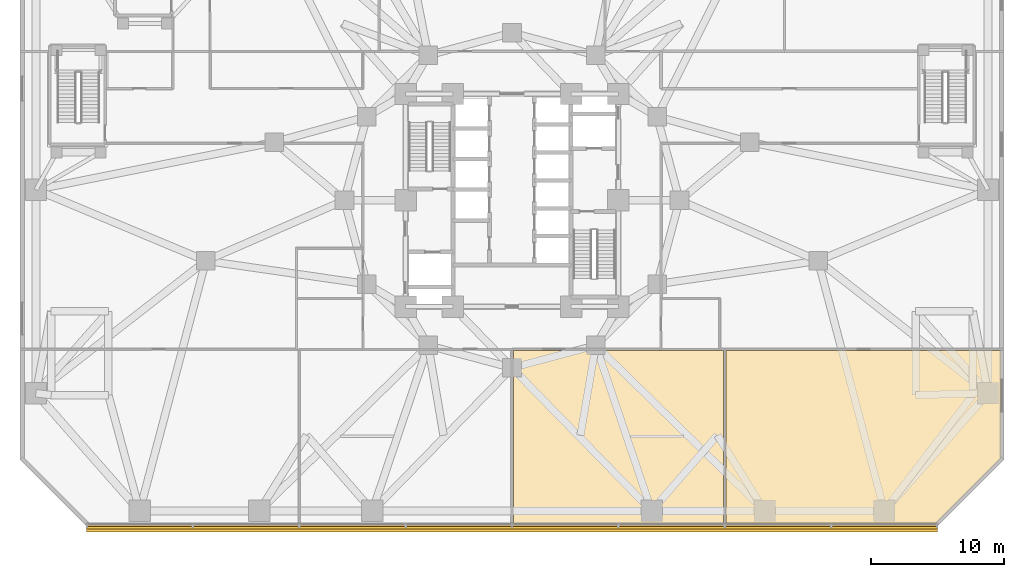
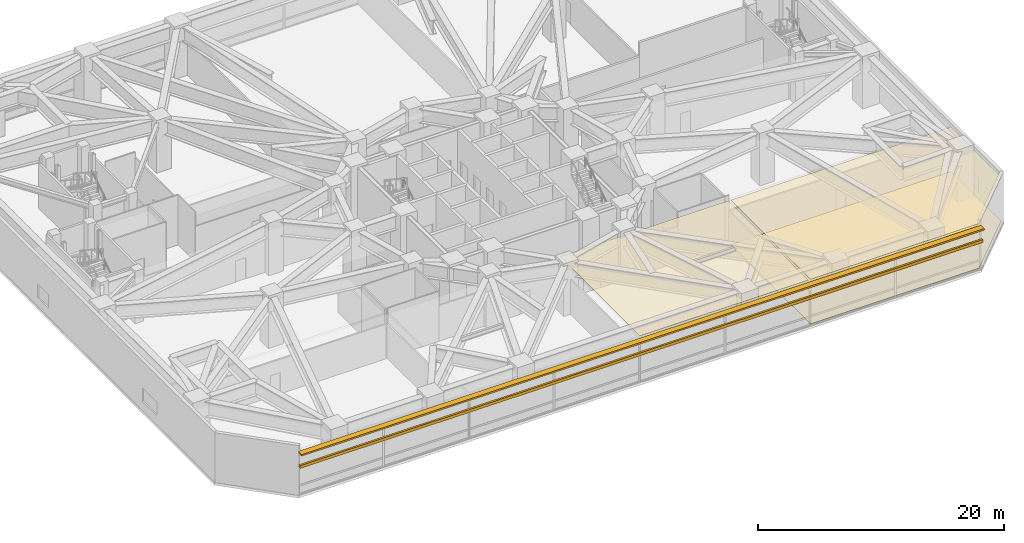
# One storey, part 23 of 27: 3 coverings, 2 shading devices.
"""IFC4 building model written with IfcOpenShell, lengths in metres."""

from ifc_helpers import new_model, si_unit, direction, frame, origin, origin_2d, place, context, subcontext, project, spatial, polyline, rectangle, outline, extrude, material, layer, layer_set, type_object, element, save


model = new_model("IFC4")

# Units and contexts
model_context = context("Model", 3, precision=1e-05, world=origin(), true_north=direction((0.0, 1.0)))
body_context = subcontext(model_context, "Body", "Model", "MODEL_VIEW")
ifc_project = project(units=[si_unit("LENGTHUNIT", "METRE"), si_unit("AREAUNIT", "SQUARE_METRE"), si_unit("VOLUMEUNIT", "CUBIC_METRE"), si_unit("PLANEANGLEUNIT", "RADIAN"), si_unit("MASSUNIT", "GRAM", prefix="KILO")], contexts=[model_context])

# Site, building, storey
site_placement = place(None, origin())
site = spatial("IfcSite", under=ifc_project, at=site_placement, CompositionType="ELEMENT")
building_placement = place(site_placement, origin())
building = spatial("IfcBuilding", under=site, at=building_placement, Name="Terralouvre Media Tower", CompositionType="ELEMENT")
storey_placement = place(building_placement, frame((0.0, 0.0, 20.800048828125)))
storey = spatial("IfcBuildingStorey", under=building, at=storey_placement, Name="L04", CompositionType="ELEMENT", Elevation=20.800048828125)

# Coverings
ifc_material_1 = material(Name="Resilient elastomer acoustic broadcast studio flooring")
ifc_layer_1 = layer(ifc_material_1, 0.050048828125, Name="Broadcast Studio Acoustic Floating Floor FL-AC1")
ifc_layer_set_1 = layer_set([ifc_layer_1], Name="Resilient elastomer acoustic broadcast studio flooring")
covering_type_1 = type_object("IfcCoveringType", Name="Broadcast Studio Acoustic Floating Floor FL-AC1", PredefinedType="FLOORING", material=ifc_layer_set_1)
covering_1_placement = place(storey_placement, origin())
element("IfcCovering", 1, at=covering_1_placement, inside=storey, type_object=covering_type_1, Name="L04 L04 Staff Wellness Fitness Gym 5 Acoustic Floating Floor", PredefinedType="FLOORING", context=body_context, shape_type="SweptSolid", body=[
    extrude(outline(polyline([(16.10009765625, -24.280029296875), (31.90869140625, -24.280029296875), (36.780029296875, -19.40869140625), (36.780029296875, -11.300048828125), (16.10009765625, -11.300048828125), (16.10009765625, -24.280029296875)])), origin(), (0.0, 0.0, 1.0), 0.050048828125),
])
ifc_material_2 = material(Name="Perforated aluminium acoustic ceiling baffle", Category="aluminium")
ifc_layer_2 = layer(ifc_material_2, 0.0400390625, Name="Perforated Acoustic Metal Tile Ceiling CL-AC1")
ifc_layer_set_2 = layer_set([ifc_layer_2], Name="Perforated aluminium acoustic ceiling baffle")
covering_type_2 = type_object("IfcCoveringType", Name="Perforated Acoustic Metal Tile Ceiling CL-AC1", PredefinedType="CEILING", material=ifc_layer_set_2)
covering_2_placement = place(storey_placement, frame((0.0, 0.0, 4.419921875)))
element("IfcCovering", 2, at=covering_2_placement, inside=storey, type_object=covering_type_2, Name="L04 L04 Media Training Academy Classroom 4 Acoustic Ceiling", PredefinedType="CEILING", context=body_context, shape_type="SweptSolid", body=[
    extrude(outline(polyline([(0.10009765625, -11.300048828125), (0.10009765625, -24.280029296875), (15.89990234375, -24.280029296875), (15.89990234375, -11.300048828125), (0.10009765625, -11.300048828125)])), origin(), (0.0, 0.0, 1.0), 0.0400390625),
])
covering_3_placement = place(storey_placement, frame((0.0, 0.0, 4.419921875)))
element("IfcCovering", 3, at=covering_3_placement, inside=storey, type_object=covering_type_2, Name="L04 L04 Staff Wellness Fitness Gym 5 Acoustic Ceiling", PredefinedType="CEILING", context=body_context, shape_type="SweptSolid", body=[
    extrude(outline(polyline([(16.10009765625, -24.280029296875), (31.90869140625, -24.280029296875), (36.780029296875, -19.40869140625), (36.780029296875, -11.300048828125), (16.10009765625, -11.300048828125), (16.10009765625, -24.280029296875)])), origin(), (0.0, 0.0, 1.0), 0.0400390625),
])

# Shading devices
ifc_material_3 = material(Name="Extruded terracotta baguette sunshade louvres", Category="masonry")
shading_device_type_1 = type_object("IfcShadingDeviceType", Name="Podium Deep Terracotta Sunshade Canopy Blade TB-SH1", PredefinedType="USERDEFINED", material=ifc_material_3)
shading_device_1_placement = place(storey_placement, frame((0.0, -24.679931640625, 4.18017578125), z_axis=(0.0, 0.0, 1.0), x_axis=(1.0, 0.0, 0.0)))
element("IfcShadingDevice", 4, at=shading_device_1_placement, inside=storey, type_object=shading_device_type_1, Name="L04 Podium Deep Sunshade Blade F0", ObjectType="SUNSHADE", PredefinedType="USERDEFINED", context=body_context, shape_type="SweptSolid", body=[
    extrude(rectangle(XDim=64.0, YDim=0.550048828125, at=origin_2d()), origin(), (0.0, 0.0, 1.0), 0.159912109375),
])
ifc_material_4 = material(Name="Extruded terracotta baguette sunshade louvres", Category="masonry")
shading_device_type_2 = type_object("IfcShadingDeviceType", Name="Terracotta Baguette Sunshade Louvre Screen TB-LV1", PredefinedType="USERDEFINED", material=ifc_material_4)
shading_device_2_placement = place(storey_placement, frame((0.0, -24.6201171875, 2.818359375), z_axis=(0.0, 0.0, 1.0), x_axis=(1.0, 0.0, 0.0)))
element("IfcShadingDevice", 5, at=shading_device_2_placement, inside=storey, type_object=shading_device_type_2, Name="CW-L04-F0 Terracotta Baguette Sunshade Louvre", ObjectType="BAGUETTE", PredefinedType="USERDEFINED", context=body_context, shape_type="SweptSolid", body=[
    extrude(rectangle(XDim=64.0, YDim=0.179931640625, at=origin_2d()), origin(), (0.0, 0.0, 1.0), 0.280029296875),
])

save(model, "model.ifc")
